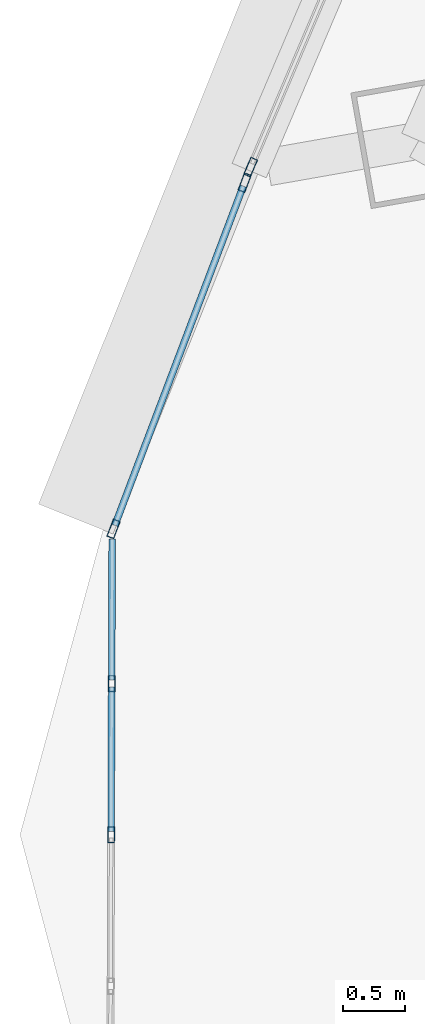
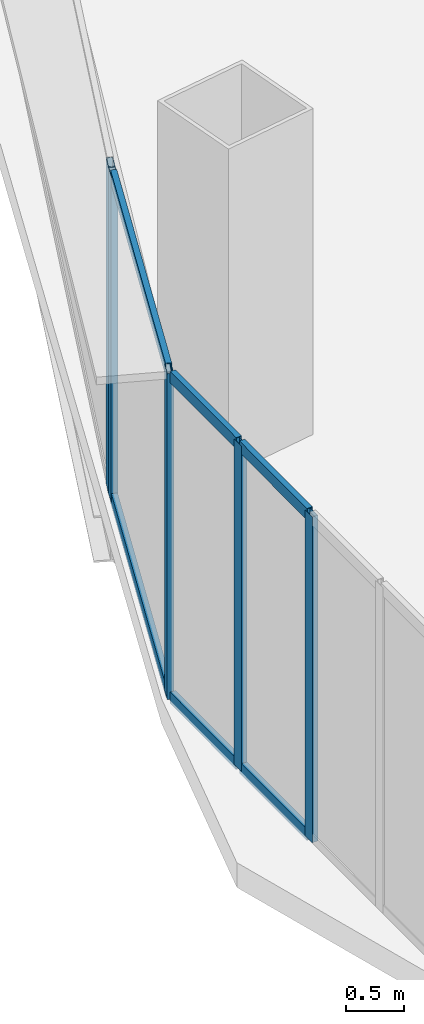
# One storey, part 4 of 42: 11 members, 3 elements without a shape of their own.
"""IFC4 building model written with IfcOpenShell, lengths in metres."""

from ifc_helpers import new_model, si_unit, direction, frame, origin, origin_2d, place, context, subcontext, project, spatial, hollow_rectangle, extrude, source, transform, mapped, material, layer, layer_set, material_profile, profile_set, type_object, element, aggregate, save


model = new_model("IFC4")

# Units and contexts
model_context = context("Model", 3, precision=1e-05, world=origin(), true_north=direction((0.0, 1.0)))
body_context = subcontext(model_context, "Body", "Model", "MODEL_VIEW")
ifc_project = project(units=[si_unit("LENGTHUNIT", "METRE"), si_unit("AREAUNIT", "SQUARE_METRE"), si_unit("VOLUMEUNIT", "CUBIC_METRE"), si_unit("PLANEANGLEUNIT", "RADIAN"), si_unit("MASSUNIT", "GRAM", prefix="KILO"), si_unit("THERMODYNAMICTEMPERATUREUNIT", "KELVIN"), si_unit("POWERUNIT", "WATT")], contexts=[model_context])

# Site, building, storey
site_placement = place(None, origin())
site = spatial("IfcSite", under=ifc_project, at=site_placement, CompositionType="ELEMENT")
building_placement = place(site_placement, origin())
building = spatial("IfcBuilding", under=site, at=building_placement, Name="Yunzhuo Pagoda Commons", CompositionType="ELEMENT")
storey_placement = place(building_placement, frame((0.0, 0.0, 151.909912109375)))
storey = spatial("IfcBuildingStorey", under=building, at=storey_placement, Name="L38", CompositionType="ELEMENT", Elevation=151.909912109375)

# Curtain wall, member
ifc_material = material(Name="Anodized aluminium 6063-T6", Category="aluminium")
ifc_layer_1 = layer(ifc_material, 0.14990234375)
ifc_layer_set_1 = layer_set([ifc_layer_1], Name="Anodized aluminium 6063-T6")
curtain_wall_type_1 = type_object("IfcCurtainWallType", Name="CW-MID Mid-Zone Ribbon Curtain Wall", PredefinedType="NOTDEFINED", material=ifc_layer_set_1)
curtain_wall_1_placement = place(storey_placement, origin())
curtain_wall_1 = element("IfcCurtainWall", 1, at=curtain_wall_1_placement, inside=storey, type_object=curtain_wall_type_1, Name="L38 curtain wall CW-L38-F3B4", PredefinedType="NOTDEFINED")
ifc_material_profile_1 = material_profile(ifc_material, hollow_rectangle(XDim=0.06005859375, YDim=0.14990234375, WallThickness=0.00390625, at=origin_2d()), Name="Anodized aluminium 6063-T6")
ifc_profile_set_1 = profile_set([ifc_material_profile_1], Name="Anodized aluminium 6063-T6")
member_type_1 = type_object("IfcMemberType", Name="CW-MID-M Mullion RHS 150x60x4", PredefinedType="MULLION", material=ifc_profile_set_1)
shared_shape_1 = source(origin(), body_context, "Body", "SweptSolid", [
    extrude(hollow_rectangle(XDim=0.06005859375, YDim=0.14990234375, WallThickness=0.00390625, at=origin_2d()), origin(), (0.0, 0.0, 1.0), 3.420166015625),
])
member_1_placement = place(storey_placement, frame((9.6416015625, 26.9619140625, 0.0), z_axis=(0.0, 0.0, 1.0), x_axis=(0.92021678471, -0.391409081572, 0.0)))
member_1 = element("IfcMember", 2, at=member_1_placement, type_object=member_type_1, Name="CW mullion 2", PredefinedType="MULLION", context=body_context, shape_type="MappedRepresentation", body=[
    mapped(shared_shape_1, transform((0.0, 0.0, 0.0), scale=1.0)),
])
aggregate(curtain_wall_1, [member_1])

# Curtain wall, members
curtain_wall_2_placement = place(storey_placement, origin())
curtain_wall_2 = element("IfcCurtainWall", 3, at=curtain_wall_2_placement, inside=storey, type_object=curtain_wall_type_1, Name="L38 curtain wall CW-L38-F3B5", PredefinedType="NOTDEFINED")
member_2_placement = place(storey_placement, frame((9.5927734375, 26.836181640625, 0.0), z_axis=(0.0, 0.0, 1.0), x_axis=(0.935246751482, -0.35399648846, 0.0)))
member_2 = element("IfcMember", 4, at=member_2_placement, type_object=member_type_1, Name="CW mullion 1", PredefinedType="MULLION", context=body_context, shape_type="MappedRepresentation", body=[
    mapped(shared_shape_1, transform((0.0, 0.0, 0.0), scale=1.0)),
])
member_3_placement = place(storey_placement, frame((8.53173828125, 24.032958984375, 0.0), z_axis=(0.0, 0.0, 1.0), x_axis=(0.935246751482, -0.35399648846, 0.0)))
member_3 = element("IfcMember", 5, at=member_3_placement, type_object=member_type_1, Name="CW mullion 2", PredefinedType="MULLION", context=body_context, shape_type="MappedRepresentation", body=[
    mapped(shared_shape_1, transform((0.0, 0.0, 0.0), scale=1.0)),
])

ifc_layer_2 = layer(ifc_material, 0.1298828125)
ifc_layer_set_2 = layer_set([ifc_layer_2], Name="Anodized aluminium 6063-T6")
curtain_wall_type_2 = type_object("IfcCurtainWallType", Name="CW-VTX Rounded Corner Curtain Wall", PredefinedType="NOTDEFINED", material=ifc_layer_set_2)
curtain_wall_3_placement = place(storey_placement, origin())
curtain_wall_3 = element("IfcCurtainWall", 6, at=curtain_wall_3_placement, inside=storey, type_object=curtain_wall_type_2, Name="L38 curtain wall CW-L38-VTX1S1", PredefinedType="NOTDEFINED")
ifc_material_profile_2 = material_profile(ifc_material, hollow_rectangle(XDim=0.054931640625, YDim=0.1298828125, WallThickness=0.00341796875, at=origin_2d()), Name="Anodized aluminium 6063-T6")
ifc_profile_set_2 = profile_set([ifc_material_profile_2], Name="Anodized aluminium 6063-T6")
member_type_2 = type_object("IfcMemberType", Name="CW-VTX-M Mullion RHS 130x55x3.5", PredefinedType="MULLION", material=ifc_profile_set_2)
shared_shape_2 = source(origin(), body_context, "Body", "SweptSolid", [
    extrude(hollow_rectangle(XDim=0.054931640625, YDim=0.1298828125, WallThickness=0.00341796875, at=origin_2d()), origin(), (0.0, 0.0, 1.0), 3.420166015625),
])
member_4_placement = place(storey_placement, frame((8.5166015625, 22.780517578125, 0.0), z_axis=(0.0, 0.0, 1.0), x_axis=(0.999993542566, -0.00359372042, 0.0)))
member_4 = element("IfcMember", 7, at=member_4_placement, type_object=member_type_2, Name="CW mullion 2", PredefinedType="MULLION", context=body_context, shape_type="MappedRepresentation", body=[
    mapped(shared_shape_2, transform((0.0, 0.0, 0.0), scale=1.0)),
])
member_5_placement = place(storey_placement, frame((8.51220703125, 21.55615234375, 0.0), z_axis=(0.0, 0.0, 1.0), x_axis=(0.999993542566, -0.00359372042, 0.0)))
member_5 = element("IfcMember", 8, at=member_5_placement, type_object=member_type_2, Name="CW mullion 3", PredefinedType="MULLION", context=body_context, shape_type="MappedRepresentation", body=[
    mapped(shared_shape_2, transform((0.0, 0.0, 0.0), scale=1.0)),
])

# Member
ifc_material_profile_3 = material_profile(ifc_material, hollow_rectangle(XDim=0.054931640625, YDim=0.1298828125, WallThickness=0.00341796875, at=origin_2d()), Name="Anodized aluminium 6063-T6")
ifc_profile_set_3 = profile_set([ifc_material_profile_3], Name="Anodized aluminium 6063-T6")
member_type_3 = type_object("IfcMemberType", Name="CW-MID-T Transom RHS 130x55x3.5", PredefinedType="USERDEFINED", material=ifc_profile_set_3)
shared_shape_3 = source(origin(), body_context, "Body", "SweptSolid", [
    extrude(hollow_rectangle(XDim=0.054931640625, YDim=0.1298828125, WallThickness=0.00341796875, at=origin_2d()), origin(), (0.0, 0.0, 1.0), 2.9375),
])
member_6_placement = place(storey_placement, frame((9.58203125, 26.808349609375, 0.027587890625), z_axis=(-0.353972658674, -0.935255770852, 0.0), x_axis=(0.935255770852, -0.353972658674, 0.0)))
member_6 = element("IfcMember", 9, at=member_6_placement, type_object=member_type_3, Name="CW transom 1.1", ObjectType="TRANSOM", PredefinedType="USERDEFINED", context=body_context, shape_type="MappedRepresentation", body=[
    mapped(shared_shape_3, transform((0.0, 0.0, 0.0), scale=1.0)),
])

member_7_placement = place(storey_placement, frame((9.58203125, 26.808349609375, 3.392578125), z_axis=(-0.353972658674, -0.935255770852, 0.0), x_axis=(0.935255770852, -0.353972658674, 0.0)))
member_7 = element("IfcMember", 10, at=member_7_placement, type_object=member_type_3, Name="CW transom 1.2", ObjectType="TRANSOM", PredefinedType="USERDEFINED", context=body_context, shape_type="MappedRepresentation", body=[
    mapped(shared_shape_3, transform((0.0, 0.0, 0.0), scale=1.0)),
])

aggregate(curtain_wall_2, [member_2, member_3, member_6, member_7])

ifc_material_profile_4 = material_profile(ifc_material, hollow_rectangle(XDim=0.054931640625, YDim=0.1201171875, WallThickness=0.00341796875, at=origin_2d()), Name="Anodized aluminium 6063-T6")
ifc_profile_set_4 = profile_set([ifc_material_profile_4], Name="Anodized aluminium 6063-T6")
member_type_4 = type_object("IfcMemberType", Name="CW-VTX-T Transom RHS 120x55x3.5", PredefinedType="USERDEFINED", material=ifc_profile_set_4)
shared_shape_4 = source(origin(), body_context, "Body", "SweptSolid", [
    extrude(hollow_rectangle(XDim=0.054931640625, YDim=0.1201171875, WallThickness=0.00341796875, at=origin_2d()), origin(), (0.0, 0.0, 1.0), 1.141845703125),
])
member_8_placement = place(storey_placement, frame((8.520751953125, 23.94970703125, 0.027587890625), z_axis=(-0.003634784627, -0.999993394149, 0.0), x_axis=(0.999993394149, -0.003634784627, 0.0)))
member_8 = element("IfcMember", 11, at=member_8_placement, type_object=member_type_4, Name="CW transom 1.1", ObjectType="TRANSOM", PredefinedType="USERDEFINED", context=body_context, shape_type="MappedRepresentation", body=[
    mapped(shared_shape_4, transform((0.0, 0.0, 0.0), scale=1.0)),
])

member_9_placement = place(storey_placement, frame((8.520751953125, 23.94970703125, 3.392578125), z_axis=(-0.003634784627, -0.999993394149, 0.0), x_axis=(0.999993394149, -0.003634784627, 0.0)))
member_9 = element("IfcMember", 12, at=member_9_placement, type_object=member_type_4, Name="CW transom 1.2", ObjectType="TRANSOM", PredefinedType="USERDEFINED", context=body_context, shape_type="MappedRepresentation", body=[
    mapped(shared_shape_4, transform((0.0, 0.0, 0.0), scale=1.0)),
])

shared_shape_5 = source(origin(), body_context, "Body", "SweptSolid", [
    extrude(hollow_rectangle(XDim=0.054931640625, YDim=0.1201171875, WallThickness=0.00341796875, at=origin_2d()), origin(), (0.0, 0.0, 1.0), 1.16943359375),
])
member_10_placement = place(storey_placement, frame((8.5166015625, 22.7529296875, 0.027587890625), z_axis=(-0.003757802278, -0.999992939436, 0.0), x_axis=(0.999992939436, -0.003757802278, 0.0)))
member_10 = element("IfcMember", 13, at=member_10_placement, type_object=member_type_4, Name="CW transom 2.1", ObjectType="TRANSOM", PredefinedType="USERDEFINED", context=body_context, shape_type="MappedRepresentation", body=[
    mapped(shared_shape_5, transform((0.0, 0.0, 0.0), scale=1.0)),
])

member_11_placement = place(storey_placement, frame((8.5166015625, 22.7529296875, 3.392578125), z_axis=(-0.003757802278, -0.999992939436, 0.0), x_axis=(0.999992939436, -0.003757802278, 0.0)))
member_11 = element("IfcMember", 14, at=member_11_placement, type_object=member_type_4, Name="CW transom 2.2", ObjectType="TRANSOM", PredefinedType="USERDEFINED", context=body_context, shape_type="MappedRepresentation", body=[
    mapped(shared_shape_5, transform((0.0, 0.0, 0.0), scale=1.0)),
])

aggregate(curtain_wall_3, [member_4, member_5, member_8, member_9, member_10, member_11])

save(model, "model.ifc")
